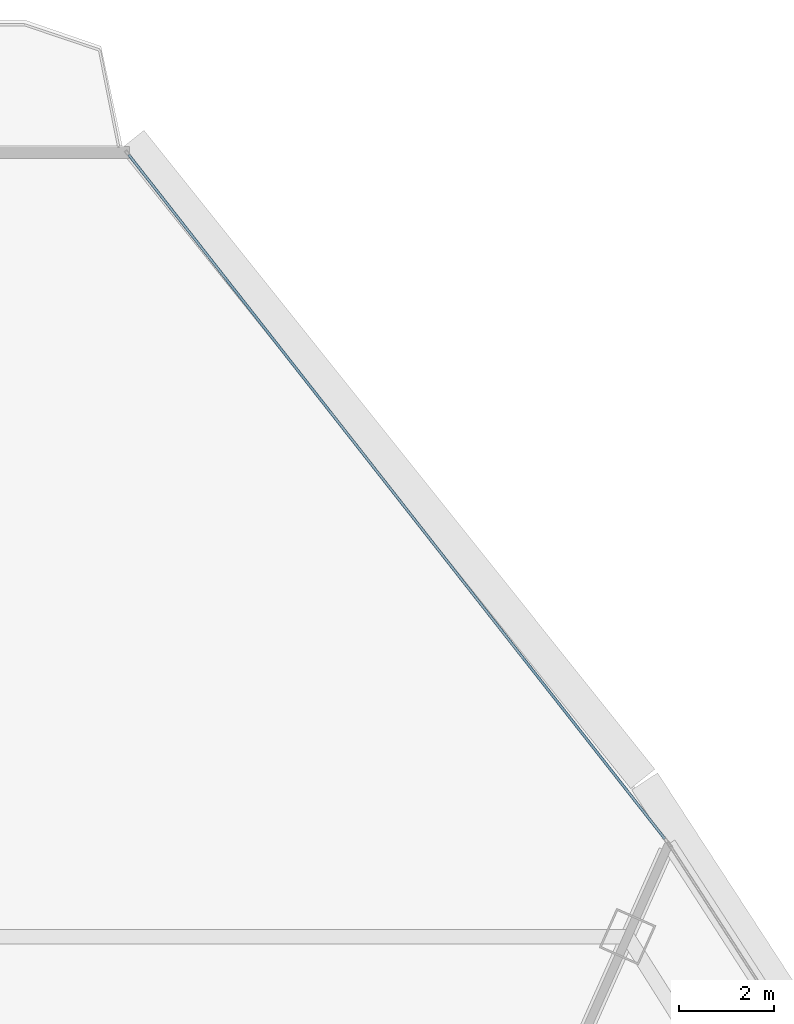
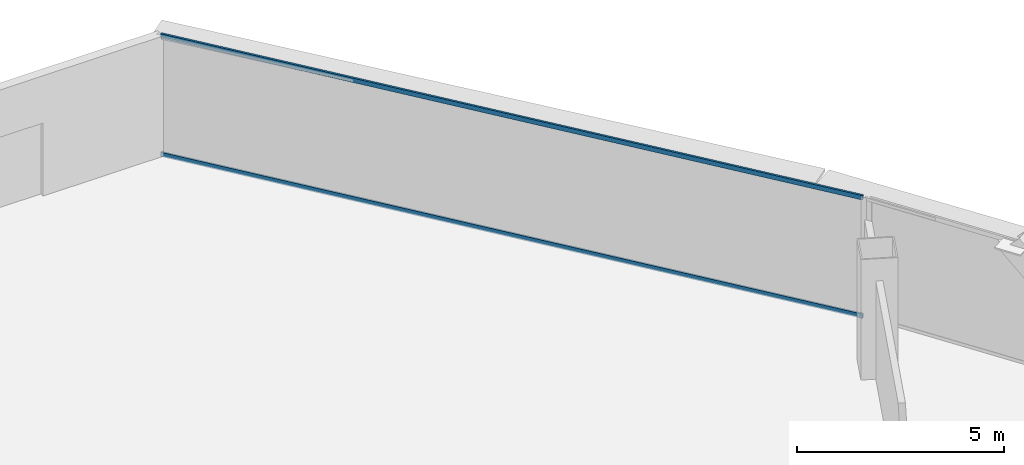
# One storey, part 23 of 37: 2 members, 1 element without a shape of its own.
"""IFC4 building model written with IfcOpenShell, lengths in metres."""

from ifc_helpers import new_model, si_unit, direction, frame, origin, origin_2d, place, context, subcontext, project, spatial, hollow_rectangle, extrude, source, transform, mapped, material, layer, layer_set, material_profile, profile_set, type_object, element, aggregate, save


model = new_model("IFC4")

# Units and contexts
model_context = context("Model", 3, precision=1e-05, world=origin(), true_north=direction((0.0, 1.0)))
body_context = subcontext(model_context, "Body", "Model", "MODEL_VIEW")
ifc_project = project(units=[si_unit("LENGTHUNIT", "METRE"), si_unit("AREAUNIT", "SQUARE_METRE"), si_unit("VOLUMEUNIT", "CUBIC_METRE"), si_unit("PLANEANGLEUNIT", "RADIAN"), si_unit("MASSUNIT", "GRAM", prefix="KILO"), si_unit("THERMODYNAMICTEMPERATUREUNIT", "KELVIN"), si_unit("POWERUNIT", "WATT")], contexts=[model_context])

# Site, building, storey
site_placement = place(None, origin())
site = spatial("IfcSite", under=ifc_project, at=site_placement, CompositionType="ELEMENT")
building_placement = place(site_placement, origin())
building = spatial("IfcBuilding", under=site, at=building_placement, Name="Yunzhuo Pagoda Commons", CompositionType="ELEMENT")
storey_placement = place(building_placement, frame((0.0, 0.0, 199.9599609375)))
storey = spatial("IfcBuildingStorey", under=building, at=storey_placement, Name="L50", CompositionType="ELEMENT", Elevation=199.9599609375)

# Curtain wall, members
ifc_material = material(Name="Anodized aluminium 6063-T6", Category="aluminium")
ifc_layer = layer(ifc_material, 0.14990234375)
ifc_layer_set = layer_set([ifc_layer], Name="Anodized aluminium 6063-T6")
curtain_wall_type = type_object("IfcCurtainWallType", Name="CW-MID Mid-Zone Ribbon Curtain Wall", PredefinedType="NOTDEFINED", material=ifc_layer_set)
curtain_wall_placement = place(storey_placement, origin())
curtain_wall = element("IfcCurtainWall", 1, at=curtain_wall_placement, inside=storey, type_object=curtain_wall_type, Name="L50 curtain wall CW-L50-F2B5", PredefinedType="NOTDEFINED")
ifc_material_profile = material_profile(ifc_material, hollow_rectangle(XDim=0.054931640625, YDim=0.1298828125, WallThickness=0.00341796875, at=origin_2d()), Name="Anodized aluminium 6063-T6")
ifc_profile_set = profile_set([ifc_material_profile], Name="Anodized aluminium 6063-T6")
member_type = type_object("IfcMemberType", Name="CW-MID-T Transom RHS 130x55x3.5", PredefinedType="USERDEFINED", material=ifc_profile_set)
shared_shape = source(origin(), body_context, "Body", "SweptSolid", [
    extrude(hollow_rectangle(XDim=0.054931640625, YDim=0.1298828125, WallThickness=0.00341796875, at=origin_2d()), origin(), (0.0, 0.0, 1.0), 18.23681640625),
])
member_1_placement = place(storey_placement, frame((63.482177734375, 68.76708984375, 0.027587890625), z_axis=(-0.616886369969, 0.78705222606, 0.0), x_axis=(-0.78705222606, -0.616886369969, 0.0)))
member_1 = element("IfcMember", 2, at=member_1_placement, type_object=member_type, Name="CW transom 1.1", ObjectType="TRANSOM", PredefinedType="USERDEFINED", context=body_context, shape_type="MappedRepresentation", body=[
    mapped(shared_shape, transform((0.0, 0.0, 0.0), scale=1.0)),
])
member_2_placement = place(storey_placement, frame((63.482177734375, 68.76708984375, 3.512451171875), z_axis=(-0.616886369969, 0.78705222606, 0.0), x_axis=(-0.78705222606, -0.616886369969, 0.0)))
member_2 = element("IfcMember", 3, at=member_2_placement, type_object=member_type, Name="CW transom 1.2", ObjectType="TRANSOM", PredefinedType="USERDEFINED", context=body_context, shape_type="MappedRepresentation", body=[
    mapped(shared_shape, transform((0.0, 0.0, 0.0), scale=1.0)),
])
aggregate(curtain_wall, [member_1, member_2])

save(model, "model.ifc")
